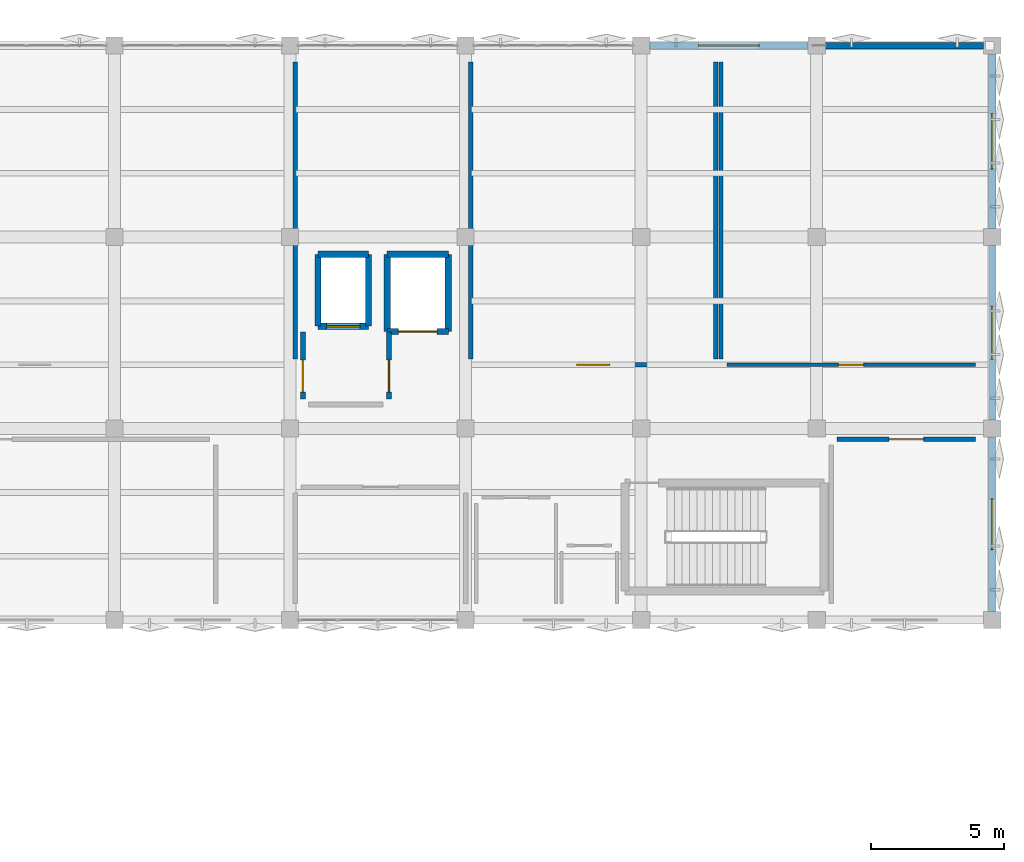
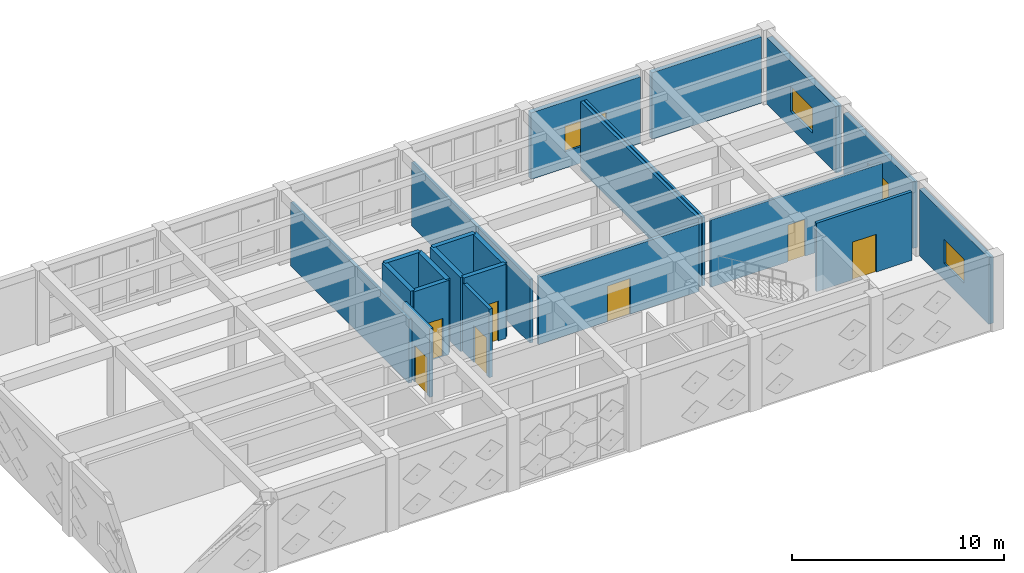
# One storey, part 32 of 39: 22 walls, 7 doors, 4 windows, 11 openings.
"""IFC4 building model written with IfcOpenShell, lengths in metres."""

from ifc_helpers import new_model, si_unit, direction, frame, frame_2d, origin, place, context, subcontext, project, spatial, rectangle, extrude, material, layer, layer_set, type_object, element, fill, save


model = new_model("IFC4")

# Units and contexts
model_context = context("Model", 3, precision=1e-05, world=origin(), true_north=direction((0.0, 1.0)))
body_context = subcontext(model_context, "Body", "Model", "MODEL_VIEW")
ifc_project = project(units=[si_unit("LENGTHUNIT", "METRE"), si_unit("AREAUNIT", "SQUARE_METRE"), si_unit("VOLUMEUNIT", "CUBIC_METRE"), si_unit("PLANEANGLEUNIT", "RADIAN"), si_unit("MASSUNIT", "GRAM", prefix="KILO")], contexts=[model_context])

# Site, building, storey
site_placement = place(None, origin())
site = spatial("IfcSite", under=ifc_project, at=site_placement, CompositionType="ELEMENT")
building_placement = place(site_placement, origin())
building = spatial("IfcBuilding", under=site, at=building_placement, Name="Kharisveld Research Institute", CompositionType="ELEMENT")
storey_placement = place(building_placement, frame((0.0, 0.0, 18.60009765625)))
storey = spatial("IfcBuildingStorey", under=building, at=storey_placement, Name="L04", CompositionType="ELEMENT", Elevation=18.60009765625)

# Walls
ifc_material_1 = material(Name="Concrete C40/50", Category="concrete")
ifc_layer_1 = layer(ifc_material_1, 0.239990234375)
ifc_layer_set_1 = layer_set([ifc_layer_1], Name="WL_CORE_240")
wall_type_1 = type_object("IfcWallType", Name="WL_CORE_240", PredefinedType="SHEAR", material=ifc_layer_set_1)
wall_1_placement = place(storey_placement, frame((135.449951171875, 50.25, 0.0), z_axis=(0.0, 0.0, 1.0), x_axis=(0.0, 1.0, 0.0)))
element("IfcWall", 1, at=wall_1_placement, inside=storey, type_object=wall_type_1, Name="WL:LFT:FFL-02:L04:W", PredefinedType="SHEAR", context=body_context, shape_type="SweptSolid", body=[
    extrude(rectangle(XDim=2.699951171875, YDim=0.239990234375, at=frame_2d((1.35009765625, 0.0))), origin(), (0.0, 0.0, 1.0), 4.27978515625),
])
wall_2_placement = place(storey_placement, frame((135.449951171875, 52.949951171875, 0.0), z_axis=(0.0, 0.0, 1.0), x_axis=(1.0, 0.0, 0.0)))
element("IfcWall", 2, at=wall_2_placement, inside=storey, type_object=wall_type_1, Name="WL:LFT:FFL-02:L04:N", PredefinedType="SHEAR", context=body_context, shape_type="SweptSolid", body=[
    extrude(rectangle(XDim=1.900146484375, YDim=0.239990234375, at=frame_2d((0.9501953125, 0.0))), origin(), (0.0, 0.0, 1.0), 4.27978515625),
])
wall_3_placement = place(storey_placement, frame((137.35009765625, 52.949951171875, 0.0), z_axis=(0.0, 0.0, 1.0), x_axis=(0.0, -1.0, 0.0)))
element("IfcWall", 3, at=wall_3_placement, inside=storey, type_object=wall_type_1, Name="WL:LFT:FFL-02:L04:E", PredefinedType="SHEAR", context=body_context, shape_type="SweptSolid", body=[
    extrude(rectangle(XDim=2.699951171875, YDim=0.239990234375, at=frame_2d((1.35009765625, 0.0))), origin(), (0.0, 0.0, 1.0), 4.27978515625),
])

# Wall, opening, door
wall_4_placement = place(storey_placement, frame((137.35009765625, 50.25, 0.0), z_axis=(0.0, 0.0, 1.0), x_axis=(-1.0, 0.0, 0.0)))
wall_4 = element("IfcWall", 4, at=wall_4_placement, inside=storey, type_object=wall_type_1, Name="WL:LFT:FFL-02:L04:S", PredefinedType="SHEAR", context=body_context, shape_type="SweptSolid", body=[
    extrude(rectangle(XDim=1.900146484375, YDim=0.239990234375, at=frame_2d((0.9501953125, 0.0))), origin(), (0.0, 0.0, 1.0), 4.27978515625),
])
opening_1_placement = place(wall_4_placement, frame((0.324951171875, 0.0, 0.0)))
opening_1 = element("IfcOpeningElement", 5, at=opening_1_placement, cuts=wall_4, Name="Opening LD-02", PredefinedType="OPENING", context=body_context, shape_type="SweptSolid", body=[
    extrude(rectangle(XDim=1.25, YDim=2.199951171875, at=frame_2d((0.625, 1.10009765625))), frame((0.0, 0.1201171875, 0.0), z_axis=(0.0, -1.0, 0.0), x_axis=(1.0, 0.0, 0.0)), (0.0, 0.0, 1.0), 0.239990234375),
])
ifc_material_2 = material(Name="Flush Painted Hardwood and Anodised Aluminium", Category="wood")
door_type_1 = type_object("IfcDoorType", Name="DR_LFT_125", OperationType="SLIDING_TO_RIGHT", PredefinedType="DOOR", material=ifc_material_2)
door_1_placement = place(opening_1_placement, origin())
door_1 = element("IfcDoor", 6, at=door_1_placement, inside=storey, type_object=door_type_1, Name="FFL-02 Lift Landing Door L04", OperationType="SLIDING_TO_RIGHT", OverallHeight=2.199951171875, OverallWidth=1.25, PredefinedType="DOOR", context=body_context, shape_type="SweptSolid", body=[
    extrude(rectangle(XDim=1.25, YDim=2.199951171875, at=frame_2d((0.625, 1.10009765625))), frame((0.0, 0.02490234375, 0.0), z_axis=(0.0, -1.0, 0.0), x_axis=(1.0, 0.0, 0.0)), (0.0, 0.0, 1.0), 0.050048828125),
])
fill(opening_1, door_1)

# Walls
wall_5_placement = place(storey_placement, frame((138.050048828125, 50.050048828125, 0.0), z_axis=(0.0, 0.0, 1.0), x_axis=(0.0, 1.0, 0.0)))
element("IfcWall", 7, at=wall_5_placement, inside=storey, type_object=wall_type_1, Name="WL:LFT:GL-01:L04:W", PredefinedType="SHEAR", context=body_context, shape_type="SweptSolid", body=[
    extrude(rectangle(XDim=2.89990234375, YDim=0.239990234375, at=frame_2d((1.449951171875, 0.0))), origin(), (0.0, 0.0, 1.0), 4.27978515625),
])
wall_6_placement = place(storey_placement, frame((138.050048828125, 52.949951171875, 0.0), z_axis=(0.0, 0.0, 1.0), x_axis=(1.0, 0.0, 0.0)))
element("IfcWall", 8, at=wall_6_placement, inside=storey, type_object=wall_type_1, Name="WL:LFT:GL-01:L04:N", PredefinedType="SHEAR", context=body_context, shape_type="SweptSolid", body=[
    extrude(rectangle(XDim=2.300048828125, YDim=0.239990234375, at=frame_2d((1.14990234375, 0.0))), origin(), (0.0, 0.0, 1.0), 4.27978515625),
])
wall_7_placement = place(storey_placement, frame((140.35009765625, 52.949951171875, 0.0), z_axis=(0.0, 0.0, 1.0), x_axis=(0.0, -1.0, 0.0)))
element("IfcWall", 9, at=wall_7_placement, inside=storey, type_object=wall_type_1, Name="WL:LFT:GL-01:L04:E", PredefinedType="SHEAR", context=body_context, shape_type="SweptSolid", body=[
    extrude(rectangle(XDim=2.89990234375, YDim=0.239990234375, at=frame_2d((1.449951171875, 0.0))), origin(), (0.0, 0.0, 1.0), 4.27978515625),
])

# Wall, opening, door
wall_8_placement = place(storey_placement, frame((140.35009765625, 50.050048828125, 0.0), z_axis=(0.0, 0.0, 1.0), x_axis=(-1.0, 0.0, 0.0)))
wall_8 = element("IfcWall", 10, at=wall_8_placement, inside=storey, type_object=wall_type_1, Name="WL:LFT:GL-01:L04:S", PredefinedType="SHEAR", context=body_context, shape_type="SweptSolid", body=[
    extrude(rectangle(XDim=2.300048828125, YDim=0.239990234375, at=frame_2d((1.14990234375, 0.0))), origin(), (0.0, 0.0, 1.0), 4.27978515625),
])
opening_2_placement = place(wall_8_placement, frame((0.425048828125, 0.0, 0.0)))
opening_2 = element("IfcOpeningElement", 11, at=opening_2_placement, cuts=wall_8, Name="Opening LD-03", PredefinedType="OPENING", context=body_context, shape_type="SweptSolid", body=[
    extrude(rectangle(XDim=1.449951171875, YDim=2.300048828125, at=frame_2d((0.72509765625, 1.14990234375))), frame((0.0, 0.1201171875, 0.0), z_axis=(0.0, -1.0, 0.0), x_axis=(1.0, 0.0, 0.0)), (0.0, 0.0, 1.0), 0.239990234375),
])
ifc_material_3 = material(Name="Flush Painted Hardwood and Anodised Aluminium", Category="wood")
door_type_2 = type_object("IfcDoorType", Name="DR_LFT_145", OperationType="DOUBLE_DOOR_SLIDING", PredefinedType="DOOR", material=ifc_material_3)
door_2_placement = place(opening_2_placement, origin())
door_2 = element("IfcDoor", 12, at=door_2_placement, inside=storey, type_object=door_type_2, Name="GL-01 Lift Landing Door L04", OperationType="DOUBLE_DOOR_SLIDING", OverallHeight=2.300048828125, OverallWidth=1.449951171875, PredefinedType="DOOR", context=body_context, shape_type="SweptSolid", body=[
    extrude(rectangle(XDim=1.449951171875, YDim=2.300048828125, at=frame_2d((0.72509765625, 1.14990234375))), frame((0.0, 0.02490234375, 0.0), z_axis=(0.0, -1.0, 0.0), x_axis=(1.0, 0.0, 0.0)), (0.0, 0.0, 1.0), 0.050048828125),
])
fill(opening_2, door_2)

# Wall
ifc_material_4 = material(Name="Lightweight Acoustic Spandrel", Category="mineral")
ifc_layer_2 = layer(ifc_material_4, 0.2451171875)
ifc_layer_set_2 = layer_set([ifc_layer_2], Name="WL_EXT_245")
wall_type_2 = type_object("IfcWallType", Name="WL_EXT_245", PredefinedType="STANDARD", material=ifc_layer_set_2)
wall_9_placement = place(storey_placement, frame((154.52001953125, 60.800048828125, 0.0), z_axis=(0.0, 0.0, 1.0), x_axis=(1.0, 0.0, 0.0)))
element("IfcWall", 13, at=wall_9_placement, inside=storey, type_object=wall_type_2, Name="WL:V2:L04:N6", PredefinedType="STANDARD", context=body_context, shape_type="SweptSolid", body=[
    extrude(rectangle(XDim=5.9599609375, YDim=0.2451171875, at=frame_2d((2.97998046875, 0.0))), origin(), (0.0, 0.0, 1.0), 3.8349609375),
])

# Wall, opening, window
wall_10_placement = place(storey_placement, frame((160.800048828125, 53.280029296875, 0.0), z_axis=(0.0, 0.0, 1.0), x_axis=(0.0, -1.0, 0.0)))
wall_10 = element("IfcWall", 14, at=wall_10_placement, inside=storey, type_object=wall_type_2, Name="WL:V2:L04:E2", PredefinedType="STANDARD", context=body_context, shape_type="SweptSolid", body=[
    extrude(rectangle(XDim=6.56005859375, YDim=0.2451171875, at=frame_2d((3.280029296875, 0.0))), origin(), (0.0, 0.0, 1.0), 3.8349609375),
])
opening_3_placement = place(wall_10_placement, frame((2.280029296875, 0.0, 0.949951171875)))
opening_3 = element("IfcOpeningElement", 15, at=opening_3_placement, cuts=wall_10, Name="Opening WN-30", PredefinedType="OPENING", context=body_context, shape_type="SweptSolid", body=[
    extrude(rectangle(XDim=2.0, YDim=1.419921875, at=frame_2d((1.0, 0.7099609375))), frame((0.0, 0.12255859375, 0.0), z_axis=(0.0, -1.0, 0.0), x_axis=(1.0, 0.0, 0.0)), (0.0, 0.0, 1.0), 0.2451171875),
])
ifc_material_5 = material(Name="Low-E Double Glazing", Category="glass")
window_type_1 = type_object("IfcWindowType", Name="WN_30", PartitioningType="DOUBLE_PANEL_VERTICAL", PredefinedType="WINDOW", material=ifc_material_5)
window_1_placement = place(opening_3_placement, origin())
window_1 = element("IfcWindow", 16, at=window_1_placement, inside=storey, type_object=window_type_1, Name="WN:V2:L04:E2", OverallHeight=1.419921875, OverallWidth=2.0, PartitioningType="SINGLE_PANEL", PredefinedType="WINDOW", context=body_context, shape_type="SweptSolid", body=[
    extrude(rectangle(XDim=2.0, YDim=1.419921875, at=frame_2d((1.0, 0.7099609375))), frame((0.0, 0.030029296875, 0.0), z_axis=(0.0, -1.0, 0.0), x_axis=(1.0, 0.0, 0.0)), (0.0, 0.0, 1.0), 0.06005859375),
])
fill(opening_3, window_1)

ifc_material_6 = material(Name="Precast Concrete C40/50 Thermal Wall", Category="concrete")
ifc_layer_3 = layer(ifc_material_6, 0.260009765625)
ifc_layer_set_3 = layer_set([ifc_layer_3], Name="WL_EXT_260")
wall_type_3 = type_object("IfcWallType", Name="WL_EXT_260", PredefinedType="STANDARD", material=ifc_layer_set_3)
wall_11_placement = place(storey_placement, frame((147.919921875, 60.800048828125, 0.0), z_axis=(0.0, 0.0, 1.0), x_axis=(1.0, 0.0, 0.0)))
wall_11 = element("IfcWall", 17, at=wall_11_placement, inside=storey, type_object=wall_type_3, Name="WL:V2:L04:N5", PredefinedType="STANDARD", context=body_context, shape_type="SweptSolid", body=[
    extrude(rectangle(XDim=5.9599609375, YDim=0.260009765625, at=frame_2d((2.97998046875, 0.0))), origin(), (0.0, 0.0, 1.0), 3.8349609375),
])
opening_4_placement = place(wall_11_placement, frame((1.844970703125, 0.0, 0.949951171875)))
opening_4 = element("IfcOpeningElement", 18, at=opening_4_placement, cuts=wall_11, Name="Opening WN-33", PredefinedType="OPENING", context=body_context, shape_type="SweptSolid", body=[
    extrude(rectangle(XDim=2.27001953125, YDim=1.47998046875, at=frame_2d((1.135009765625, 0.739990234375))), frame((0.0, 0.1298828125, 0.0), z_axis=(0.0, -1.0, 0.0), x_axis=(1.0, 0.0, 0.0)), (0.0, 0.0, 1.0), 0.260009765625),
])
ifc_material_7 = material(Name="Low-E Double Glazing", Category="glass")
window_type_2 = type_object("IfcWindowType", Name="WN_33", PartitioningType="DOUBLE_PANEL_VERTICAL", PredefinedType="WINDOW", material=ifc_material_7)
window_2_placement = place(opening_4_placement, origin())
window_2 = element("IfcWindow", 19, at=window_2_placement, inside=storey, type_object=window_type_2, Name="WN:V2:L04:N5", OverallHeight=1.47998046875, OverallWidth=2.27001953125, PartitioningType="SINGLE_PANEL", PredefinedType="WINDOW", context=body_context, shape_type="SweptSolid", body=[
    extrude(rectangle(XDim=2.27001953125, YDim=1.47998046875, at=frame_2d((1.135009765625, 0.739990234375))), frame((0.0, 0.030029296875, 0.0), z_axis=(0.0, -1.0, 0.0), x_axis=(1.0, 0.0, 0.0)), (0.0, 0.0, 1.0), 0.06005859375),
])
fill(opening_4, window_2)

wall_12_placement = place(storey_placement, frame((160.800048828125, 46.080078125, 0.0), z_axis=(0.0, 0.0, 1.0), x_axis=(0.0, -1.0, 0.0)))
wall_12 = element("IfcWall", 20, at=wall_12_placement, inside=storey, type_object=wall_type_3, Name="WL:V2:L04:E1", PredefinedType="STANDARD", context=body_context, shape_type="SweptSolid", body=[
    extrude(rectangle(XDim=6.56005859375, YDim=0.260009765625, at=frame_2d((3.280029296875, 0.0))), origin(), (0.0, 0.0, 1.0), 3.8349609375),
])
opening_5_placement = place(wall_12_placement, frame((2.324951171875, 0.0, 0.949951171875)))
opening_5 = element("IfcOpeningElement", 21, at=opening_5_placement, cuts=wall_12, Name="Opening WN-29", PredefinedType="OPENING", context=body_context, shape_type="SweptSolid", body=[
    extrude(rectangle(XDim=1.909912109375, YDim=1.39990234375, at=frame_2d((0.955078125, 0.699951171875))), frame((0.0, 0.1298828125, 0.0), z_axis=(0.0, -1.0, 0.0), x_axis=(1.0, 0.0, 0.0)), (0.0, 0.0, 1.0), 0.260009765625),
])
ifc_material_8 = material(Name="Low-E Double Glazing", Category="glass")
window_type_3 = type_object("IfcWindowType", Name="WN_29", PartitioningType="DOUBLE_PANEL_VERTICAL", PredefinedType="WINDOW", material=ifc_material_8)
window_3_placement = place(opening_5_placement, origin())
window_3 = element("IfcWindow", 22, at=window_3_placement, inside=storey, type_object=window_type_3, Name="WN:V2:L04:E1", OverallHeight=1.39990234375, OverallWidth=1.909912109375, PartitioningType="SINGLE_PANEL", PredefinedType="WINDOW", context=body_context, shape_type="SweptSolid", body=[
    extrude(rectangle(XDim=1.909912109375, YDim=1.39990234375, at=frame_2d((0.955078125, 0.699951171875))), frame((0.0, 0.030029296875, 0.0), z_axis=(0.0, -1.0, 0.0), x_axis=(1.0, 0.0, 0.0)), (0.0, 0.0, 1.0), 0.06005859375),
])
fill(opening_5, window_3)

ifc_material_9 = material(Name="Precast Concrete C40/50 Thermal Wall", Category="concrete")
ifc_layer_4 = layer(ifc_material_9, 0.2900390625)
ifc_layer_set_4 = layer_set([ifc_layer_4], Name="WL_EXT_290")
wall_type_4 = type_object("IfcWallType", Name="WL_EXT_290", PredefinedType="STANDARD", material=ifc_layer_set_4)
wall_13_placement = place(storey_placement, frame((160.800048828125, 60.47998046875, 0.0), z_axis=(0.0, 0.0, 1.0), x_axis=(0.0, -1.0, 0.0)))
wall_13 = element("IfcWall", 23, at=wall_13_placement, inside=storey, type_object=wall_type_4, Name="WL:V2:L04:E3", PredefinedType="STANDARD", context=body_context, shape_type="SweptSolid", body=[
    extrude(rectangle(XDim=6.56005859375, YDim=0.2900390625, at=frame_2d((3.280029296875, 0.0))), origin(), (0.0, 0.0, 1.0), 3.8349609375),
])
opening_6_placement = place(wall_13_placement, frame((2.235107421875, 0.0, 0.949951171875)))
opening_6 = element("IfcOpeningElement", 24, at=opening_6_placement, cuts=wall_13, Name="Opening WN-31", PredefinedType="OPENING", context=body_context, shape_type="SweptSolid", body=[
    extrude(rectangle(XDim=2.090087890625, YDim=1.43994140625, at=frame_2d((1.044921875, 0.719970703125))), frame((0.0, 0.14501953125, 0.0), z_axis=(0.0, -1.0, 0.0), x_axis=(1.0, 0.0, 0.0)), (0.0, 0.0, 1.0), 0.2900390625),
])
ifc_material_10 = material(Name="Low-E Double Glazing", Category="glass")
window_type_4 = type_object("IfcWindowType", Name="WN_31", PartitioningType="DOUBLE_PANEL_VERTICAL", PredefinedType="WINDOW", material=ifc_material_10)
window_4_placement = place(opening_6_placement, origin())
window_4 = element("IfcWindow", 25, at=window_4_placement, inside=storey, type_object=window_type_4, Name="WN:V2:L04:E3", OverallHeight=1.43994140625, OverallWidth=2.090087890625, PartitioningType="SINGLE_PANEL", PredefinedType="WINDOW", context=body_context, shape_type="SweptSolid", body=[
    extrude(rectangle(XDim=2.090087890625, YDim=1.43994140625, at=frame_2d((1.044921875, 0.719970703125))), frame((0.0, 0.030029296875, 0.0), z_axis=(0.0, -1.0, 0.0), x_axis=(1.0, 0.0, 0.0)), (0.0, 0.0, 1.0), 0.06005859375),
])
fill(opening_6, window_4)

# Wall
ifc_material_11 = material(Name="Acoustic Drywall Partition", Category="mineral")
ifc_layer_5 = layer(ifc_material_11, 0.1650390625)
ifc_layer_set_5 = layer_set([ifc_layer_5], Name="WL_LAB_165")
wall_type_5 = type_object("IfcWallType", Name="WL_LAB_165", PredefinedType="PARTITIONING", material=ifc_layer_set_5)
wall_14_placement = place(storey_placement, frame((134.60009765625, 49.02001953125, 0.0), z_axis=(0.0, 0.0, 1.0), x_axis=(0.0, 1.0, 0.0)))
element("IfcWall", 26, at=wall_14_placement, inside=storey, type_object=wall_type_5, Name="WL:RM:V2:L04:WLA:E", PredefinedType="PARTITIONING", context=body_context, shape_type="SweptSolid", body=[
    extrude(rectangle(XDim=11.159912109375, YDim=0.1650390625, at=frame_2d((5.580078125, 0.0))), origin(), (0.0, 0.0, 1.0), 3.684814453125),
])

# Wall, opening, door
wall_15_placement = place(storey_placement, frame((141.419921875, 48.800048828125, 0.0), z_axis=(0.0, 0.0, 1.0), x_axis=(1.0, 0.0, 0.0)))
wall_15 = element("IfcWall", 27, at=wall_15_placement, inside=storey, type_object=wall_type_5, Name="WL:RM:V2:L04:WLB:S", PredefinedType="PARTITIONING", context=body_context, shape_type="SweptSolid", body=[
    extrude(rectangle(XDim=8.760009765625, YDim=0.1650390625, at=frame_2d((4.3798828125, 0.0))), origin(), (0.0, 0.0, 1.0), 3.885009765625),
])
opening_7_placement = place(wall_15_placement, frame((3.760009765625, 0.0, 0.0)))
opening_7 = element("IfcOpeningElement", 28, at=opening_7_placement, cuts=wall_15, Name="Opening DI-228", PredefinedType="OPENING", context=body_context, shape_type="SweptSolid", body=[
    extrude(rectangle(XDim=1.239990234375, YDim=2.06005859375, at=frame_2d((0.6201171875, 1.030029296875))), frame((0.0, 0.08251953125, 0.0), z_axis=(0.0, -1.0, 0.0), x_axis=(1.0, 0.0, 0.0)), (0.0, 0.0, 1.0), 0.1650390625),
])
ifc_material_12 = material(Name="Flush Painted Hardwood and Anodised Aluminium", Category="wood")
door_type_3 = type_object("IfcDoorType", Name="DR_VAR_12", OperationType="NOTDEFINED", PredefinedType="DOOR", material=ifc_material_12)
door_3_placement = place(opening_7_placement, origin())
door_3 = element("IfcDoor", 29, at=door_3_placement, inside=storey, type_object=door_type_3, Name="DR:RM:V2:L04:WLB:S", OperationType="SINGLE_SWING_LEFT", OverallHeight=2.06005859375, OverallWidth=1.239990234375, PredefinedType="DOOR", context=body_context, shape_type="SweptSolid", body=[
    extrude(rectangle(XDim=1.239990234375, YDim=2.06005859375, at=frame_2d((0.6201171875, 1.030029296875))), frame((0.0, 0.02490234375, 0.0), z_axis=(0.0, -1.0, 0.0), x_axis=(1.0, 0.0, 0.0)), (0.0, 0.0, 1.0), 0.050048828125),
])
fill(opening_7, door_3)

# Walls
wall_16_placement = place(storey_placement, frame((150.39990234375, 49.02001953125, 0.0), z_axis=(0.0, 0.0, 1.0), x_axis=(0.0, 1.0, 0.0)))
element("IfcWall", 30, at=wall_16_placement, inside=storey, type_object=wall_type_5, Name="WL:RM:V2:L04:WLB:E", PredefinedType="PARTITIONING", context=body_context, shape_type="SweptSolid", body=[
    extrude(rectangle(XDim=11.159912109375, YDim=0.1650390625, at=frame_2d((5.580078125, 0.0))), origin(), (0.0, 0.0, 1.0), 3.949951171875),
])
wall_17_placement = place(storey_placement, frame((141.199951171875, 60.179931640625, 0.0), z_axis=(0.0, 0.0, 1.0), x_axis=(0.0, -1.0, 0.0)))
element("IfcWall", 31, at=wall_17_placement, inside=storey, type_object=wall_type_5, Name="WL:RM:V2:L04:WLB:W", PredefinedType="PARTITIONING", context=body_context, shape_type="SweptSolid", body=[
    extrude(rectangle(XDim=11.159912109375, YDim=0.1650390625, at=frame_2d((5.580078125, 0.0))), origin(), (0.0, 0.0, 1.0), 3.684814453125),
])

# Wall, opening, door
wall_18_placement = place(storey_placement, frame((160.179931640625, 46.0, 0.0), z_axis=(0.0, 0.0, 1.0), x_axis=(-1.0, 0.0, 0.0)))
wall_18 = element("IfcWall", 32, at=wall_18_placement, inside=storey, type_object=wall_type_5, Name="WL:RM:V2:L04:SEM:N", PredefinedType="PARTITIONING", context=body_context, shape_type="SweptSolid", body=[
    extrude(rectangle(XDim=5.2099609375, YDim=0.1650390625, at=frame_2d((2.60498046875, 0.0))), origin(), (0.0, 0.0, 1.0), 3.949951171875),
])
opening_8_placement = place(wall_18_placement, frame((1.955078125, 0.0, 0.0)))
opening_8 = element("IfcOpeningElement", 33, at=opening_8_placement, cuts=wall_18, Name="Opening DI-232", PredefinedType="OPENING", context=body_context, shape_type="SweptSolid", body=[
    extrude(rectangle(XDim=1.300048828125, YDim=2.179931640625, at=frame_2d((0.64990234375, 1.08984375))), frame((0.0, 0.08251953125, 0.0), z_axis=(0.0, -1.0, 0.0), x_axis=(1.0, 0.0, 0.0)), (0.0, 0.0, 1.0), 0.1650390625),
])
ifc_material_13 = material(Name="Flush Painted Hardwood and Anodised Aluminium", Category="wood")
door_type_4 = type_object("IfcDoorType", Name="DR_SEM_130", OperationType="DOUBLE_DOOR_SINGLE_SWING", PredefinedType="DOOR", material=ifc_material_13)
door_4_placement = place(opening_8_placement, origin())
door_4 = element("IfcDoor", 34, at=door_4_placement, inside=storey, type_object=door_type_4, Name="DR:RM:V2:L04:SEM:N", OperationType="DOUBLE_DOOR_SINGLE_SWING", OverallHeight=2.179931640625, OverallWidth=1.300048828125, PredefinedType="DOOR", context=body_context, shape_type="SweptSolid", body=[
    extrude(rectangle(XDim=1.300048828125, YDim=2.179931640625, at=frame_2d((0.64990234375, 1.08984375))), frame((0.0, 0.02490234375, 0.0), z_axis=(0.0, -1.0, 0.0), x_axis=(1.0, 0.0, 0.0)), (0.0, 0.0, 1.0), 0.050048828125),
])
fill(opening_8, door_4)

ifc_material_14 = material(Name="Masonry Blockwork", Category="masonry")
ifc_layer_6 = layer(ifc_material_14, 0.18505859375)
ifc_layer_set_6 = layer_set([ifc_layer_6], Name="WL_LOB_185")
wall_type_6 = type_object("IfcWallType", Name="WL_LOB_185", PredefinedType="SOLIDWALL", material=ifc_layer_set_6)
wall_19_placement = place(storey_placement, frame((138.1201171875, 47.52001953125, 0.0), z_axis=(0.0, 0.0, 1.0), x_axis=(0.0, 1.0, 0.0)))
wall_19 = element("IfcWall", 35, at=wall_19_placement, inside=storey, type_object=wall_type_6, Name="WL:RM:V2:L04:FFL:E", PredefinedType="SOLIDWALL", context=body_context, shape_type="SweptSolid", body=[
    extrude(rectangle(XDim=2.510009765625, YDim=0.18505859375, at=frame_2d((1.2548828125, 0.0))), origin(), (0.0, 0.0, 1.0), 3.949951171875),
])
opening_9_placement = place(wall_19_placement, frame((0.25, 0.0, 0.0)))
opening_9 = element("IfcOpeningElement", 36, at=opening_9_placement, cuts=wall_19, Name="Opening DI-223", PredefinedType="OPENING", context=body_context, shape_type="SweptSolid", body=[
    extrude(rectangle(XDim=1.199951171875, YDim=2.14990234375, at=frame_2d((0.60009765625, 1.074951171875))), frame((0.0, 0.092529296875, 0.0), z_axis=(0.0, -1.0, 0.0), x_axis=(1.0, 0.0, 0.0)), (0.0, 0.0, 1.0), 0.18505859375),
])
ifc_material_15 = material(Name="Flush Painted Hardwood and Anodised Aluminium", Category="wood")
door_type_5 = type_object("IfcDoorType", Name="DR_FD120_120", OperationType="NOTDEFINED", PredefinedType="DOOR", material=ifc_material_15)
door_5_placement = place(opening_9_placement, origin())
door_5 = element("IfcDoor", 37, at=door_5_placement, inside=storey, type_object=door_type_5, Name="DR:RM:V2:L04:FFL:E", OperationType="SINGLE_SWING_RIGHT", OverallHeight=2.14990234375, OverallWidth=1.199951171875, PredefinedType="DOOR", context=body_context, shape_type="SweptSolid", body=[
    extrude(rectangle(XDim=1.199951171875, YDim=2.14990234375, at=frame_2d((0.60009765625, 1.074951171875))), frame((0.0, 0.02490234375, 0.0), z_axis=(0.0, -1.0, 0.0), x_axis=(1.0, 0.0, 0.0)), (0.0, 0.0, 1.0), 0.050048828125),
])
fill(opening_9, door_5)

wall_20_placement = place(storey_placement, frame((134.8798828125, 50.030029296875, 0.0), z_axis=(0.0, 0.0, 1.0), x_axis=(0.0, -1.0, 0.0)))
wall_20 = element("IfcWall", 38, at=wall_20_placement, inside=storey, type_object=wall_type_6, Name="WL:RM:V2:L04:FFL:W", PredefinedType="SOLIDWALL", context=body_context, shape_type="SweptSolid", body=[
    extrude(rectangle(XDim=2.510009765625, YDim=0.18505859375, at=frame_2d((1.2548828125, 0.0))), origin(), (0.0, 0.0, 1.0), 3.949951171875),
])
opening_10_placement = place(wall_20_placement, frame((1.06005859375, 0.0, 0.0)))
opening_10 = element("IfcOpeningElement", 39, at=opening_10_placement, cuts=wall_20, Name="Opening DI-224", PredefinedType="OPENING", context=body_context, shape_type="SweptSolid", body=[
    extrude(rectangle(XDim=1.199951171875, YDim=2.14990234375, at=frame_2d((0.60009765625, 1.074951171875))), frame((0.0, 0.092529296875, 0.0), z_axis=(0.0, -1.0, 0.0), x_axis=(1.0, 0.0, 0.0)), (0.0, 0.0, 1.0), 0.18505859375),
])
door_6_placement = place(opening_10_placement, origin())
door_6 = element("IfcDoor", 40, at=door_6_placement, inside=storey, type_object=door_type_5, Name="DR:RM:V2:L04:FFL:W", OperationType="SINGLE_SWING_LEFT", OverallHeight=2.14990234375, OverallWidth=1.199951171875, PredefinedType="DOOR", context=body_context, shape_type="SweptSolid", body=[
    extrude(rectangle(XDim=1.199951171875, YDim=2.14990234375, at=frame_2d((0.60009765625, 1.074951171875))), frame((0.0, 0.02490234375, 0.0), z_axis=(0.0, -1.0, 0.0), x_axis=(1.0, 0.0, 0.0)), (0.0, 0.0, 1.0), 0.050048828125),
])
fill(opening_10, door_6)

ifc_material_16 = material(Name="Insulated Stud Partition", Category="mineral")
ifc_layer_7 = layer(ifc_material_16, 0.139892578125)
ifc_layer_set_7 = layer_set([ifc_layer_7], Name="WL_OFF_140")
wall_type_7 = type_object("IfcWallType", Name="WL_OFF_140", PredefinedType="PARTITIONING", material=ifc_layer_set_7)
wall_21_placement = place(storey_placement, frame((150.820068359375, 48.800048828125, 0.0), z_axis=(0.0, 0.0, 1.0), x_axis=(1.0, 0.0, 0.0)))
wall_21 = element("IfcWall", 41, at=wall_21_placement, inside=storey, type_object=wall_type_7, Name="WL:RM:V2:L04:WLD:S", PredefinedType="PARTITIONING", context=body_context, shape_type="SweptSolid", body=[
    extrude(rectangle(XDim=9.35986328125, YDim=0.139892578125, at=frame_2d((4.679931640625, 0.0))), origin(), (0.0, 0.0, 1.0), 3.885009765625),
])
opening_11_placement = place(wall_21_placement, frame((4.2099609375, 0.0, 0.0)))
opening_11 = element("IfcOpeningElement", 42, at=opening_11_placement, cuts=wall_21, Name="Opening DI-229", PredefinedType="OPENING", context=body_context, shape_type="SweptSolid", body=[
    extrude(rectangle(XDim=0.93994140625, YDim=2.1201171875, at=frame_2d((0.469970703125, 1.06005859375))), frame((0.0, 0.06982421875, 0.0), z_axis=(0.0, -1.0, 0.0), x_axis=(1.0, 0.0, 0.0)), (0.0, 0.0, 1.0), 0.139892578125),
])
ifc_material_17 = material(Name="Flush Painted Hardwood and Anodised Aluminium", Category="wood")
door_type_6 = type_object("IfcDoorType", Name="DR_OFF_094", OperationType="NOTDEFINED", PredefinedType="DOOR", material=ifc_material_17)
door_7_placement = place(opening_11_placement, origin())
door_7 = element("IfcDoor", 43, at=door_7_placement, inside=storey, type_object=door_type_6, Name="DR:RM:V2:L04:WLD:S", OperationType="SINGLE_SWING_RIGHT", OverallHeight=2.1201171875, OverallWidth=0.93994140625, PredefinedType="DOOR", context=body_context, shape_type="SweptSolid", body=[
    extrude(rectangle(XDim=0.93994140625, YDim=2.1201171875, at=frame_2d((0.469970703125, 1.06005859375))), frame((0.0, 0.02490234375, 0.0), z_axis=(0.0, -1.0, 0.0), x_axis=(1.0, 0.0, 0.0)), (0.0, 0.0, 1.0), 0.050048828125),
])
fill(opening_11, door_7)

# Wall
wall_22_placement = place(storey_placement, frame((150.60009765625, 60.179931640625, 0.0), z_axis=(0.0, 0.0, 1.0), x_axis=(0.0, -1.0, 0.0)))
element("IfcWall", 44, at=wall_22_placement, inside=storey, type_object=wall_type_7, Name="WL:RM:V2:L04:WLD:W", PredefinedType="PARTITIONING", context=body_context, shape_type="SweptSolid", body=[
    extrude(rectangle(XDim=11.159912109375, YDim=0.139892578125, at=frame_2d((5.580078125, 0.0))), origin(), (0.0, 0.0, 1.0), 3.949951171875),
])

save(model, "model.ifc")
